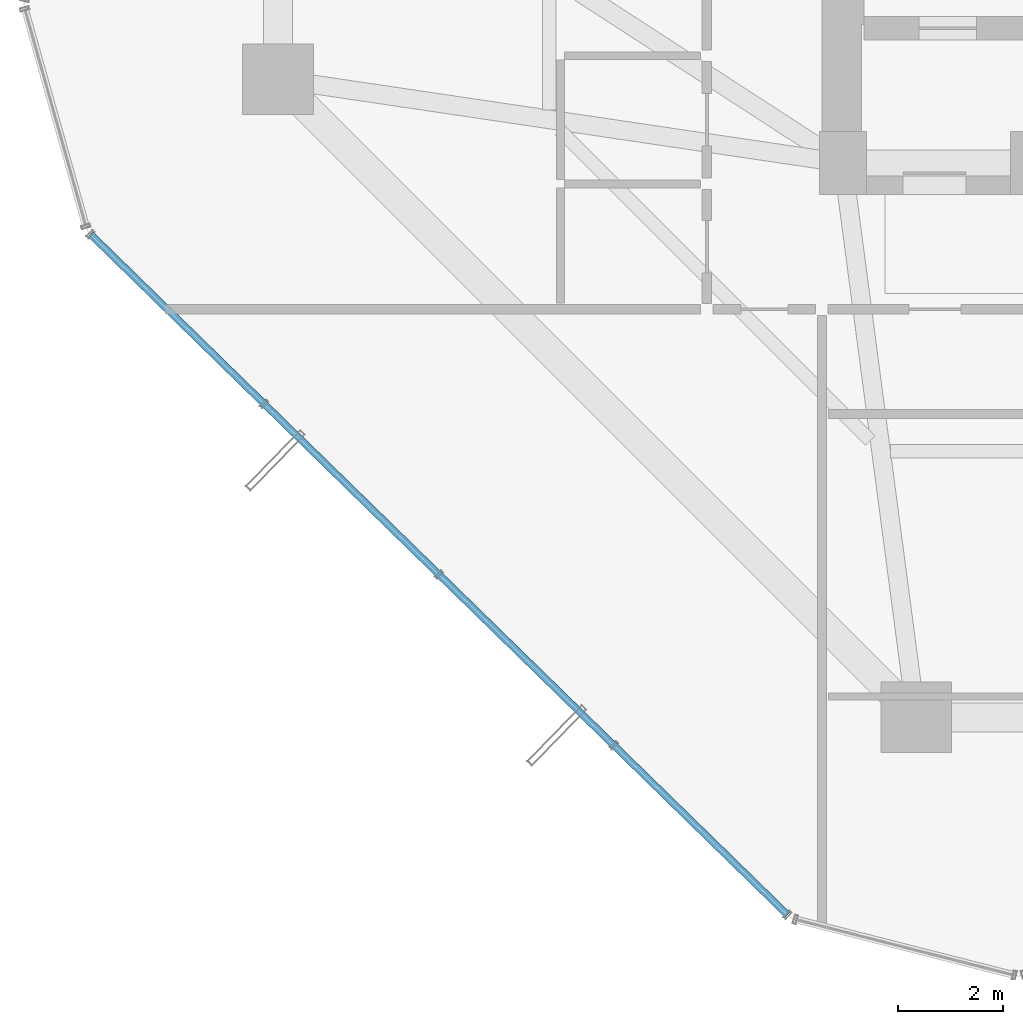
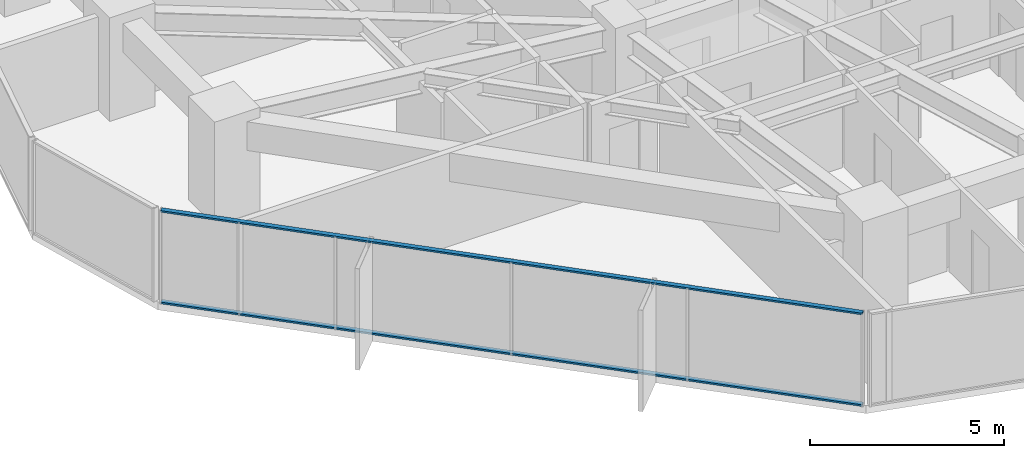
# One storey, part 3 of 39: 2 members, 1 element without a shape of its own.
"""IFC4 building model written with IfcOpenShell, lengths in metres."""

from ifc_helpers import new_model, si_unit, direction, frame, origin, origin_2d, place, context, subcontext, project, spatial, hollow_rectangle, extrude, source, transform, mapped, material, layer, layer_set, material_profile, profile_set, type_object, element, aggregate, save


model = new_model("IFC4")

# Units and contexts
model_context = context("Model", 3, precision=1e-05, world=origin(), true_north=direction((0.0, 1.0)))
body_context = subcontext(model_context, "Body", "Model", "MODEL_VIEW")
ifc_project = project(units=[si_unit("LENGTHUNIT", "METRE"), si_unit("AREAUNIT", "SQUARE_METRE"), si_unit("VOLUMEUNIT", "CUBIC_METRE"), si_unit("PLANEANGLEUNIT", "RADIAN"), si_unit("MASSUNIT", "GRAM", prefix="KILO")], contexts=[model_context])

# Site, building, storey
site_placement = place(None, origin())
site = spatial("IfcSite", under=ifc_project, at=site_placement, CompositionType="ELEMENT")
building_placement = place(site_placement, origin())
building = spatial("IfcBuilding", under=site, at=building_placement, Name="Veraguas Prism Commons", CompositionType="ELEMENT")
storey_placement = place(building_placement, frame((0.0, 0.0, 77.10009765625)))
storey = spatial("IfcBuildingStorey", under=building, at=storey_placement, Name="L21", CompositionType="ELEMENT", Elevation=77.10009765625)

# Curtain wall, members
ifc_material = material(Name="Anodised aluminium EN AW-6063 T6", Category="aluminium")
ifc_layer = layer(ifc_material, 0.169921875, Name="Unitised Flush Curtain Wall Zone 1", Category="aluminium")
ifc_layer_set = layer_set([ifc_layer], Name="Anodised aluminium EN AW-6063 T6")
curtain_wall_type = type_object("IfcCurtainWallType", Name="Unitised Flush Curtain Wall Zone 1", PredefinedType="NOTDEFINED", material=ifc_layer_set)
curtain_wall_placement = place(storey_placement, origin())
curtain_wall = element("IfcCurtainWall", 1, at=curtain_wall_placement, inside=storey, type_object=curtain_wall_type, Name="Tower Facade Curtain Wall L21-F4", PredefinedType="NOTDEFINED")
ifc_material_profile = material_profile(ifc_material, hollow_rectangle(XDim=0.054931640625, YDim=0.135009765625, WallThickness=0.0029296875, at=origin_2d()), Name="AL55X135X3")
ifc_profile_set = profile_set([ifc_material_profile], Name="Anodised aluminium EN AW-6063 T6")
member_type = type_object("IfcMemberType", Name="Curtain Wall Transom Standard AL 55x135x3", PredefinedType="USERDEFINED", material=ifc_profile_set)
shared_shape = source(origin(), body_context, "Body", "SweptSolid", [
    extrude(hollow_rectangle(XDim=0.054931640625, YDim=0.135009765625, WallThickness=0.0029296875, at=origin_2d()), origin(), (0.0, 0.0, 1.0), 18.6240234375),
])
member_1_placement = place(storey_placement, frame((2.816162109375, 15.6357421875, 0.02734375), z_axis=(0.715446730911, -0.698667285072, 0.0), x_axis=(0.0, 0.0, 1.0)))
member_1 = element("IfcMember", 2, at=member_1_placement, type_object=member_type, Name="CW-Z1 Transom 1", ObjectType="TRANSOM", PredefinedType="USERDEFINED", context=body_context, shape_type="MappedRepresentation", body=[
    mapped(shared_shape, transform((0.0, 0.0, 0.0), scale=1.0)),
])
member_2_placement = place(storey_placement, frame((2.816162109375, 15.6357421875, 2.90234375), z_axis=(0.715446730911, -0.698667285072, 0.0), x_axis=(0.0, 0.0, 1.0)))
member_2 = element("IfcMember", 3, at=member_2_placement, type_object=member_type, Name="CW-Z1 Transom 2", ObjectType="TRANSOM", PredefinedType="USERDEFINED", context=body_context, shape_type="MappedRepresentation", body=[
    mapped(shared_shape, transform((0.0, 0.0, 0.0), scale=1.0)),
])
aggregate(curtain_wall, [member_1, member_2])

save(model, "model.ifc")
